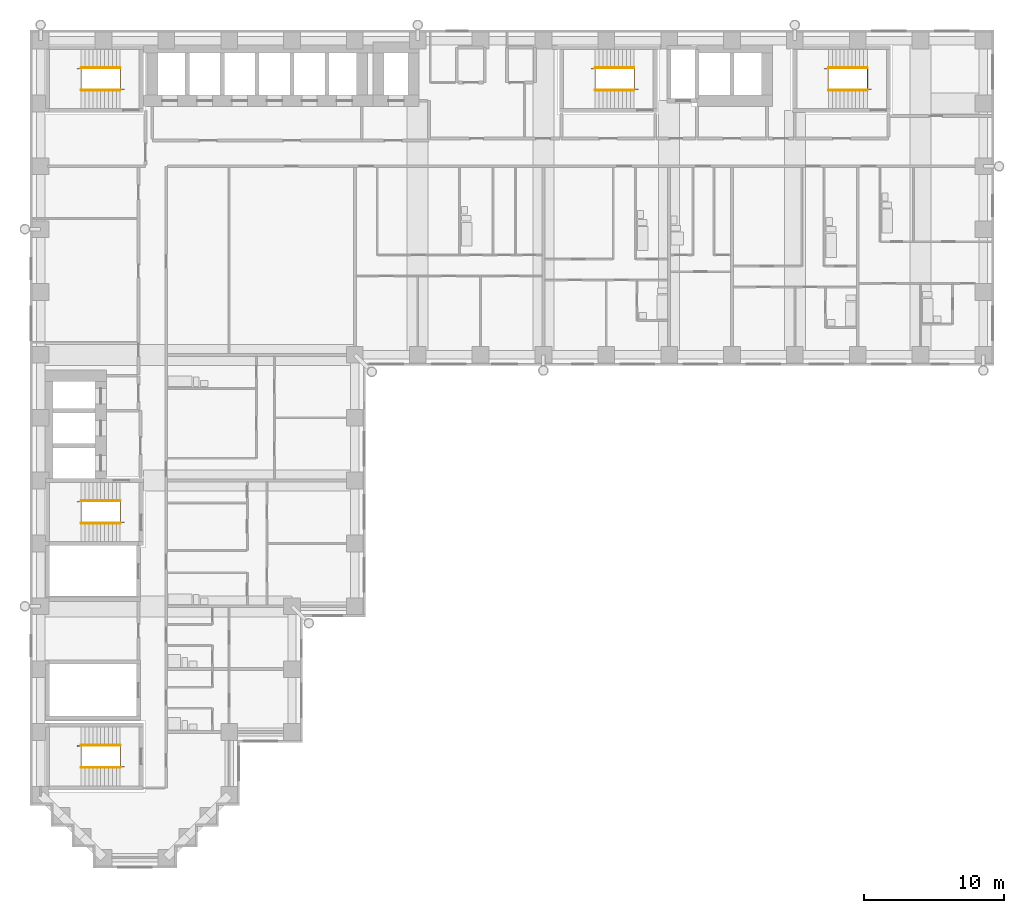
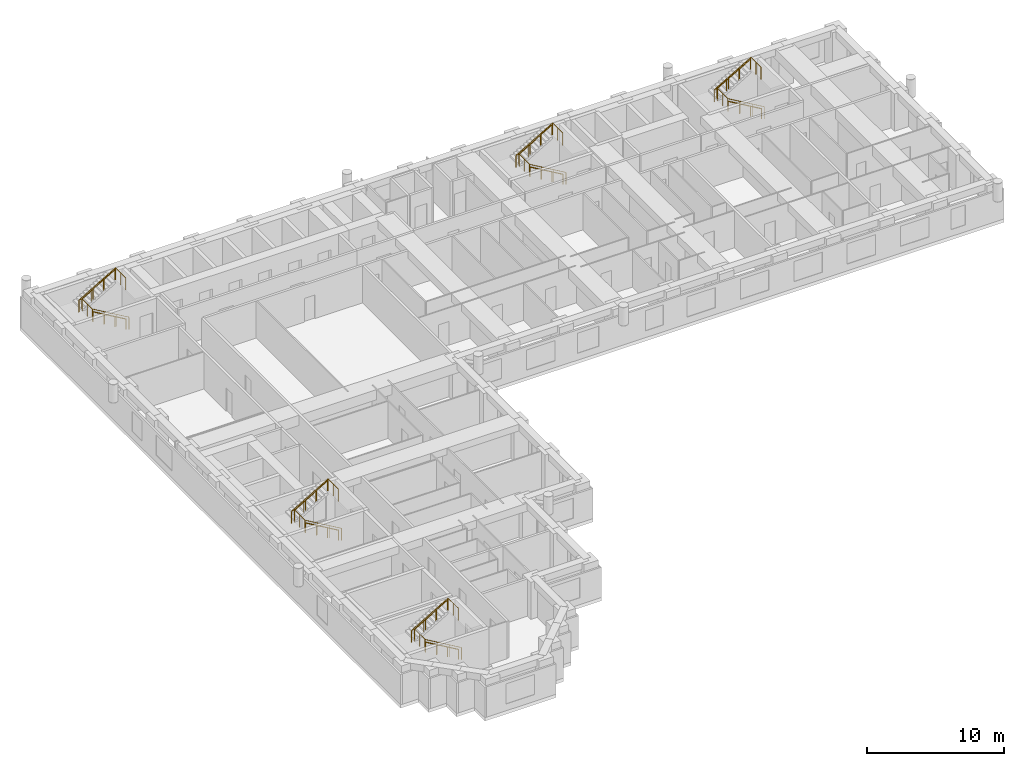
# One storey, part 13 of 14: 15 railings.
"""IFC4 building model written with IfcOpenShell, lengths in metres."""

from ifc_helpers import new_model, si_unit, direction, frame, origin, origin_2d, place, context, subcontext, project, spatial, circle, extrude, material, type_object, element, save


model = new_model("IFC4")

# Units and contexts
model_context = context("Model", 3, precision=1e-05, world=origin(), true_north=direction((0.0, 1.0)))
body_context = subcontext(model_context, "Body", "Model", "MODEL_VIEW")
ifc_project = project(units=[si_unit("LENGTHUNIT", "METRE"), si_unit("AREAUNIT", "SQUARE_METRE"), si_unit("VOLUMEUNIT", "CUBIC_METRE"), si_unit("PLANEANGLEUNIT", "RADIAN"), si_unit("MASSUNIT", "GRAM", prefix="KILO")], contexts=[model_context])

# Site, building, storey
site_placement = place(None, origin())
site = spatial("IfcSite", under=ifc_project, at=site_placement, CompositionType="ELEMENT")
building_placement = place(site_placement, origin())
building = spatial("IfcBuilding", under=site, at=building_placement, Name="Firuza Court", CompositionType="ELEMENT")
storey_placement = place(building_placement, frame((0.0, 0.0, 68.60009765625)))
storey = spatial("IfcBuildingStorey", under=building, at=storey_placement, Name="L16", CompositionType="ELEMENT", Elevation=68.60009765625)

# Railings
ifc_material_1 = material(Name="Steel S355", Category="steel")
railing_type_1 = type_object("IfcRailingType", Name="Handrail 900", PredefinedType="HANDRAIL", material=ifc_material_1)
railing_1_placement = place(storey_placement, frame((42.5, 54.949951171875, 0.16357421875)))
element("IfcRailing", 1, at=railing_1_placement, inside=storey, type_object=railing_type_1, Name="Handrail S1 flight 1", PredefinedType="HANDRAIL", context=body_context, shape_type="SweptSolid", body=[
    extrude(circle(Radius=0.02490234375, at=origin_2d()), frame((0.0, 0.0, 0.875), z_axis=(-0.863393664356, 0.0, 0.504530851732), x_axis=(0.0, -1.0, 0.0)), (0.0, 0.0, 1.0), 3.2431640625),
    extrude(circle(Radius=0.02001953125, at=origin_2d()), origin(), (0.0, 0.0, 1.0), 0.849853515625),
    extrude(circle(Radius=0.02001953125, at=origin_2d()), frame((-0.933349609375, 0.0, 0.54541015625)), (0.0, 0.0, 1.0), 0.849853515625),
    extrude(circle(Radius=0.02001953125, at=origin_2d()), frame((-1.86669921875, 0.0, 1.0908203125)), (0.0, 0.0, 1.0), 0.849853515625),
    extrude(circle(Radius=0.02001953125, at=origin_2d()), frame((-2.800048828125, 0.0, 1.63623046875)), (0.0, 0.0, 1.0), 0.849853515625),
])
railing_2_placement = place(storey_placement, frame((39.699951171875, 56.550048828125, 1.963623046875)))
element("IfcRailing", 2, at=railing_2_placement, inside=storey, type_object=railing_type_1, Name="Handrail S1 flight 2", PredefinedType="HANDRAIL", context=body_context, shape_type="SweptSolid", body=[
    extrude(circle(Radius=0.02490234375, at=origin_2d()), frame((0.0, 0.0, 0.875), z_axis=(0.863393664356, 0.0, 0.504530851732), x_axis=(0.0, 1.0, 0.0)), (0.0, 0.0, 1.0), 3.2431640625),
    extrude(circle(Radius=0.02001953125, at=origin_2d()), origin(), (0.0, 0.0, 1.0), 0.849853515625),
    extrude(circle(Radius=0.02001953125, at=origin_2d()), frame((0.933349609375, 0.0, 0.54541015625)), (0.0, 0.0, 1.0), 0.849853515625),
    extrude(circle(Radius=0.02001953125, at=origin_2d()), frame((1.86669921875, 0.0, 1.0908203125)), (0.0, 0.0, 1.0), 0.849853515625),
    extrude(circle(Radius=0.02001953125, at=origin_2d()), frame((2.800048828125, 0.0, 1.63623046875)), (0.0, 0.0, 1.0), 0.849853515625),
])
railing_3_placement = place(storey_placement, frame((5.699951171875, 23.949951171875, 0.16357421875)))
element("IfcRailing", 3, at=railing_3_placement, inside=storey, type_object=railing_type_1, Name="Handrail S2 flight 1", PredefinedType="HANDRAIL", context=body_context, shape_type="SweptSolid", body=[
    extrude(circle(Radius=0.02490234375, at=origin_2d()), frame((0.0, 0.0, 0.875), z_axis=(-0.863393664356, 0.0, 0.504530851732), x_axis=(0.0, -1.0, 0.0)), (0.0, 0.0, 1.0), 3.2431640625),
    extrude(circle(Radius=0.02001953125, at=origin_2d()), origin(), (0.0, 0.0, 1.0), 0.849853515625),
    extrude(circle(Radius=0.02001953125, at=origin_2d()), frame((-0.933349609375, 0.0, 0.54541015625)), (0.0, 0.0, 1.0), 0.849853515625),
    extrude(circle(Radius=0.02001953125, at=origin_2d()), frame((-1.86669921875, 0.0, 1.0908203125)), (0.0, 0.0, 1.0), 0.849853515625),
    extrude(circle(Radius=0.02001953125, at=origin_2d()), frame((-2.800048828125, 0.0, 1.63623046875)), (0.0, 0.0, 1.0), 0.849853515625),
])
railing_4_placement = place(storey_placement, frame((2.89990234375, 25.550048828125, 1.963623046875)))
element("IfcRailing", 4, at=railing_4_placement, inside=storey, type_object=railing_type_1, Name="Handrail S2 flight 2", PredefinedType="HANDRAIL", context=body_context, shape_type="SweptSolid", body=[
    extrude(circle(Radius=0.02490234375, at=origin_2d()), frame((0.0, 0.0, 0.875), z_axis=(0.863393664356, 0.0, 0.504530851732), x_axis=(0.0, 1.0, 0.0)), (0.0, 0.0, 1.0), 3.2431640625),
    extrude(circle(Radius=0.02001953125, at=origin_2d()), origin(), (0.0, 0.0, 1.0), 0.849853515625),
    extrude(circle(Radius=0.02001953125, at=origin_2d()), frame((0.933349609375, 0.0, 0.54541015625)), (0.0, 0.0, 1.0), 0.849853515625),
    extrude(circle(Radius=0.02001953125, at=origin_2d()), frame((1.86669921875, 0.0, 1.0908203125)), (0.0, 0.0, 1.0), 0.849853515625),
    extrude(circle(Radius=0.02001953125, at=origin_2d()), frame((2.800048828125, 0.0, 1.63623046875)), (0.0, 0.0, 1.0), 0.849853515625),
])
railing_5_placement = place(storey_placement, frame((5.699951171875, 54.949951171875, 0.16357421875)))
element("IfcRailing", 5, at=railing_5_placement, inside=storey, type_object=railing_type_1, Name="Handrail S3 flight 1", PredefinedType="HANDRAIL", context=body_context, shape_type="SweptSolid", body=[
    extrude(circle(Radius=0.02490234375, at=origin_2d()), frame((0.0, 0.0, 0.875), z_axis=(-0.863393664356, 0.0, 0.504530851732), x_axis=(0.0, -1.0, 0.0)), (0.0, 0.0, 1.0), 3.2431640625),
    extrude(circle(Radius=0.02001953125, at=origin_2d()), origin(), (0.0, 0.0, 1.0), 0.849853515625),
    extrude(circle(Radius=0.02001953125, at=origin_2d()), frame((-0.933349609375, 0.0, 0.54541015625)), (0.0, 0.0, 1.0), 0.849853515625),
    extrude(circle(Radius=0.02001953125, at=origin_2d()), frame((-1.86669921875, 0.0, 1.0908203125)), (0.0, 0.0, 1.0), 0.849853515625),
    extrude(circle(Radius=0.02001953125, at=origin_2d()), frame((-2.800048828125, 0.0, 1.63623046875)), (0.0, 0.0, 1.0), 0.849853515625),
])
railing_6_placement = place(storey_placement, frame((2.89990234375, 56.550048828125, 1.963623046875)))
element("IfcRailing", 6, at=railing_6_placement, inside=storey, type_object=railing_type_1, Name="Handrail S3 flight 2", PredefinedType="HANDRAIL", context=body_context, shape_type="SweptSolid", body=[
    extrude(circle(Radius=0.02490234375, at=origin_2d()), frame((0.0, 0.0, 0.875), z_axis=(0.863393664356, 0.0, 0.504530851732), x_axis=(0.0, 1.0, 0.0)), (0.0, 0.0, 1.0), 3.2431640625),
    extrude(circle(Radius=0.02001953125, at=origin_2d()), origin(), (0.0, 0.0, 1.0), 0.849853515625),
    extrude(circle(Radius=0.02001953125, at=origin_2d()), frame((0.933349609375, 0.0, 0.54541015625)), (0.0, 0.0, 1.0), 0.849853515625),
    extrude(circle(Radius=0.02001953125, at=origin_2d()), frame((1.86669921875, 0.0, 1.0908203125)), (0.0, 0.0, 1.0), 0.849853515625),
    extrude(circle(Radius=0.02001953125, at=origin_2d()), frame((2.800048828125, 0.0, 1.63623046875)), (0.0, 0.0, 1.0), 0.849853515625),
])
railing_7_placement = place(storey_placement, frame((59.199951171875, 54.949951171875, 0.16357421875)))
element("IfcRailing", 7, at=railing_7_placement, inside=storey, type_object=railing_type_1, Name="Handrail S4 flight 1", PredefinedType="HANDRAIL", context=body_context, shape_type="SweptSolid", body=[
    extrude(circle(Radius=0.02490234375, at=origin_2d()), frame((0.0, 0.0, 0.875), z_axis=(-0.863393664356, 0.0, 0.504530851732), x_axis=(0.0, -1.0, 0.0)), (0.0, 0.0, 1.0), 3.2431640625),
    extrude(circle(Radius=0.02001953125, at=origin_2d()), origin(), (0.0, 0.0, 1.0), 0.849853515625),
    extrude(circle(Radius=0.02001953125, at=origin_2d()), frame((-0.933349609375, 0.0, 0.54541015625)), (0.0, 0.0, 1.0), 0.849853515625),
    extrude(circle(Radius=0.02001953125, at=origin_2d()), frame((-1.86669921875, 0.0, 1.0908203125)), (0.0, 0.0, 1.0), 0.849853515625),
    extrude(circle(Radius=0.02001953125, at=origin_2d()), frame((-2.800048828125, 0.0, 1.63623046875)), (0.0, 0.0, 1.0), 0.849853515625),
])
railing_8_placement = place(storey_placement, frame((56.39990234375, 56.550048828125, 1.963623046875)))
element("IfcRailing", 8, at=railing_8_placement, inside=storey, type_object=railing_type_1, Name="Handrail S4 flight 2", PredefinedType="HANDRAIL", context=body_context, shape_type="SweptSolid", body=[
    extrude(circle(Radius=0.02490234375, at=origin_2d()), frame((0.0, 0.0, 0.875), z_axis=(0.863393664356, 0.0, 0.504530851732), x_axis=(0.0, 1.0, 0.0)), (0.0, 0.0, 1.0), 3.2431640625),
    extrude(circle(Radius=0.02001953125, at=origin_2d()), origin(), (0.0, 0.0, 1.0), 0.849853515625),
    extrude(circle(Radius=0.02001953125, at=origin_2d()), frame((0.933349609375, 0.0, 0.54541015625)), (0.0, 0.0, 1.0), 0.849853515625),
    extrude(circle(Radius=0.02001953125, at=origin_2d()), frame((1.86669921875, 0.0, 1.0908203125)), (0.0, 0.0, 1.0), 0.849853515625),
    extrude(circle(Radius=0.02001953125, at=origin_2d()), frame((2.800048828125, 0.0, 1.63623046875)), (0.0, 0.0, 1.0), 0.849853515625),
])
railing_9_placement = place(storey_placement, frame((5.699951171875, 6.449951171875, 0.16357421875)))
element("IfcRailing", 9, at=railing_9_placement, inside=storey, type_object=railing_type_1, Name="Handrail S5 flight 1", PredefinedType="HANDRAIL", context=body_context, shape_type="SweptSolid", body=[
    extrude(circle(Radius=0.02490234375, at=origin_2d()), frame((0.0, 0.0, 0.875), z_axis=(-0.863393664356, 0.0, 0.504530851732), x_axis=(0.0, -1.0, 0.0)), (0.0, 0.0, 1.0), 3.2431640625),
    extrude(circle(Radius=0.02001953125, at=origin_2d()), origin(), (0.0, 0.0, 1.0), 0.849853515625),
    extrude(circle(Radius=0.02001953125, at=origin_2d()), frame((-0.933349609375, 0.0, 0.54541015625)), (0.0, 0.0, 1.0), 0.849853515625),
    extrude(circle(Radius=0.02001953125, at=origin_2d()), frame((-1.86669921875, 0.0, 1.0908203125)), (0.0, 0.0, 1.0), 0.849853515625),
    extrude(circle(Radius=0.02001953125, at=origin_2d()), frame((-2.800048828125, 0.0, 1.63623046875)), (0.0, 0.0, 1.0), 0.849853515625),
])
railing_10_placement = place(storey_placement, frame((2.89990234375, 8.050048828125, 1.963623046875)))
element("IfcRailing", 10, at=railing_10_placement, inside=storey, type_object=railing_type_1, Name="Handrail S5 flight 2", PredefinedType="HANDRAIL", context=body_context, shape_type="SweptSolid", body=[
    extrude(circle(Radius=0.02490234375, at=origin_2d()), frame((0.0, 0.0, 0.875), z_axis=(0.863393664356, 0.0, 0.504530851732), x_axis=(0.0, 1.0, 0.0)), (0.0, 0.0, 1.0), 3.2431640625),
    extrude(circle(Radius=0.02001953125, at=origin_2d()), origin(), (0.0, 0.0, 1.0), 0.849853515625),
    extrude(circle(Radius=0.02001953125, at=origin_2d()), frame((0.933349609375, 0.0, 0.54541015625)), (0.0, 0.0, 1.0), 0.849853515625),
    extrude(circle(Radius=0.02001953125, at=origin_2d()), frame((1.86669921875, 0.0, 1.0908203125)), (0.0, 0.0, 1.0), 0.849853515625),
    extrude(circle(Radius=0.02001953125, at=origin_2d()), frame((2.800048828125, 0.0, 1.63623046875)), (0.0, 0.0, 1.0), 0.849853515625),
])
ifc_material_2 = material(Name="Steel S355", Category="steel")
railing_type_2 = type_object("IfcRailingType", Name="Stair guard 1100", PredefinedType="GUARDRAIL", material=ifc_material_2)
railing_11_placement = place(storey_placement, frame((42.780029296875, 55.010009765625, 0.0)))
element("IfcRailing", 11, at=railing_11_placement, inside=storey, type_object=railing_type_2, Name="Stair well guard S1", PredefinedType="GUARDRAIL", context=body_context, shape_type="SweptSolid", body=[
    extrude(circle(Radius=0.02490234375, at=origin_2d()), frame((0.0, 0.0, 1.0751953125), z_axis=(-0.863401368682, 0.0, 0.504517667242), x_axis=(0.0, -1.0, 0.0)), (0.0, 0.0, 1.0), 3.5673828125),
    extrude(circle(Radius=0.02490234375, at=origin_2d()), frame((-3.080078125, 0.0, 2.875), z_axis=(0.0, 1.0, 0.0), x_axis=(-1.0, 0.0, 0.0)), (0.0, 0.0, 1.0), 1.47998046875),
    extrude(circle(Radius=0.02490234375, at=origin_2d()), frame((-3.080078125, 1.47998046875, 2.875), z_axis=(-1.0, 0.0, 0.0), x_axis=(0.0, -1.0, 0.0)), (0.0, 0.0, 1.0), 0.280029296875),
    extrude(circle(Radius=0.02490234375, at=origin_2d()), frame((-3.360107421875, 1.47998046875, 2.875), z_axis=(0.863371556955, 0.0, 0.504568681787), x_axis=(0.0, 1.0, 0.0)), (0.0, 0.0, 1.0), 3.5673828125),
    extrude(circle(Radius=0.02490234375, at=origin_2d()), frame((-0.280029296875, 1.47998046875, 4.6748046875), z_axis=(0.0, -1.0, 0.0), x_axis=(1.0, 0.0, 0.0)), (0.0, 0.0, 1.0), 1.47998046875),
    extrude(circle(Radius=0.02490234375, at=origin_2d()), origin(), (0.0, 0.0, 1.0), 1.050048828125),
    extrude(circle(Radius=0.02490234375, at=origin_2d()), frame((-1.026611328125, 0.0, 0.599853515625)), (0.0, 0.0, 1.0), 1.050048828125),
    extrude(circle(Radius=0.02490234375, at=origin_2d()), frame((-2.053466796875, 0.0, 1.199951171875)), (0.0, 0.0, 1.0), 1.050048828125),
    extrude(circle(Radius=0.02490234375, at=origin_2d()), frame((-3.080078125, 0.0, 1.7998046875)), (0.0, 0.0, 1.0), 1.050048828125),
    extrude(circle(Radius=0.02490234375, at=origin_2d()), frame((-3.080078125, 0.739990234375, 1.7998046875)), (0.0, 0.0, 1.0), 1.050048828125),
    extrude(circle(Radius=0.02490234375, at=origin_2d()), frame((-3.080078125, 1.47998046875, 1.7998046875)), (0.0, 0.0, 1.0), 1.050048828125),
    extrude(circle(Radius=0.02490234375, at=origin_2d()), frame((-3.360107421875, 1.47998046875, 1.7998046875)), (0.0, 0.0, 1.0), 1.050048828125),
    extrude(circle(Radius=0.02490234375, at=origin_2d()), frame((-2.33349609375, 1.47998046875, 2.39990234375)), (0.0, 0.0, 1.0), 1.050048828125),
    extrude(circle(Radius=0.02490234375, at=origin_2d()), frame((-1.306640625, 1.47998046875, 2.999755859375)), (0.0, 0.0, 1.0), 1.050048828125),
    extrude(circle(Radius=0.02490234375, at=origin_2d()), frame((-0.280029296875, 1.47998046875, 3.599853515625)), (0.0, 0.0, 1.0), 1.050048828125),
    extrude(circle(Radius=0.02490234375, at=origin_2d()), frame((-0.280029296875, 0.739990234375, 3.599853515625)), (0.0, 0.0, 1.0), 1.050048828125),
    extrude(circle(Radius=0.02490234375, at=origin_2d()), frame((-0.280029296875, 0.0, 3.599853515625)), (0.0, 0.0, 1.0), 1.050048828125),
])
railing_12_placement = place(storey_placement, frame((5.97998046875, 24.010009765625, 0.0)))
element("IfcRailing", 12, at=railing_12_placement, inside=storey, type_object=railing_type_2, Name="Stair well guard S2", PredefinedType="GUARDRAIL", context=body_context, shape_type="SweptSolid", body=[
    extrude(circle(Radius=0.02490234375, at=origin_2d()), frame((0.0, 0.0, 1.0751953125), z_axis=(-0.863401368682, 0.0, 0.504517667242), x_axis=(0.0, -1.0, 0.0)), (0.0, 0.0, 1.0), 3.5673828125),
    extrude(circle(Radius=0.02490234375, at=origin_2d()), frame((-3.080078125, 0.0, 2.875), z_axis=(0.0, 1.0, 0.0), x_axis=(-1.0, 0.0, 0.0)), (0.0, 0.0, 1.0), 1.47998046875),
    extrude(circle(Radius=0.02490234375, at=origin_2d()), frame((-3.080078125, 1.47998046875, 2.875), z_axis=(-1.0, 0.0, 0.0), x_axis=(0.0, -1.0, 0.0)), (0.0, 0.0, 1.0), 0.27978515625),
    extrude(circle(Radius=0.02490234375, at=origin_2d()), frame((-3.35986328125, 1.47998046875, 2.875), z_axis=(0.863354132664, 0.0, 0.504598495452), x_axis=(0.0, 1.0, 0.0)), (0.0, 0.0, 1.0), 3.5673828125),
    extrude(circle(Radius=0.02490234375, at=origin_2d()), frame((-0.280029296875, 1.47998046875, 4.6748046875), z_axis=(0.0, -1.0, 0.0), x_axis=(1.0, 0.0, 0.0)), (0.0, 0.0, 1.0), 1.47998046875),
    extrude(circle(Radius=0.02490234375, at=origin_2d()), origin(), (0.0, 0.0, 1.0), 1.050048828125),
    extrude(circle(Radius=0.02490234375, at=origin_2d()), frame((-1.026611328125, 0.0, 0.599853515625)), (0.0, 0.0, 1.0), 1.050048828125),
    extrude(circle(Radius=0.02490234375, at=origin_2d()), frame((-2.053466796875, 0.0, 1.199951171875)), (0.0, 0.0, 1.0), 1.050048828125),
    extrude(circle(Radius=0.02490234375, at=origin_2d()), frame((-3.080078125, 0.0, 1.7998046875)), (0.0, 0.0, 1.0), 1.050048828125),
    extrude(circle(Radius=0.02490234375, at=origin_2d()), frame((-3.080078125, 0.739990234375, 1.7998046875)), (0.0, 0.0, 1.0), 1.050048828125),
    extrude(circle(Radius=0.02490234375, at=origin_2d()), frame((-3.080078125, 1.47998046875, 1.7998046875)), (0.0, 0.0, 1.0), 1.050048828125),
    extrude(circle(Radius=0.02490234375, at=origin_2d()), frame((-3.35986328125, 1.47998046875, 1.7998046875)), (0.0, 0.0, 1.0), 1.050048828125),
    extrude(circle(Radius=0.02490234375, at=origin_2d()), frame((-2.333251953125, 1.47998046875, 2.39990234375)), (0.0, 0.0, 1.0), 1.050048828125),
    extrude(circle(Radius=0.02490234375, at=origin_2d()), frame((-1.306640625, 1.47998046875, 2.999755859375)), (0.0, 0.0, 1.0), 1.050048828125),
    extrude(circle(Radius=0.02490234375, at=origin_2d()), frame((-0.280029296875, 1.47998046875, 3.599853515625)), (0.0, 0.0, 1.0), 1.050048828125),
    extrude(circle(Radius=0.02490234375, at=origin_2d()), frame((-0.280029296875, 0.739990234375, 3.599853515625)), (0.0, 0.0, 1.0), 1.050048828125),
    extrude(circle(Radius=0.02490234375, at=origin_2d()), frame((-0.280029296875, 0.0, 3.599853515625)), (0.0, 0.0, 1.0), 1.050048828125),
])
railing_13_placement = place(storey_placement, frame((5.97998046875, 55.010009765625, 0.0)))
element("IfcRailing", 13, at=railing_13_placement, inside=storey, type_object=railing_type_2, Name="Stair well guard S3", PredefinedType="GUARDRAIL", context=body_context, shape_type="SweptSolid", body=[
    extrude(circle(Radius=0.02490234375, at=origin_2d()), frame((0.0, 0.0, 1.0751953125), z_axis=(-0.863401368682, 0.0, 0.504517667242), x_axis=(0.0, -1.0, 0.0)), (0.0, 0.0, 1.0), 3.5673828125),
    extrude(circle(Radius=0.02490234375, at=origin_2d()), frame((-3.080078125, 0.0, 2.875), z_axis=(0.0, 1.0, 0.0), x_axis=(-1.0, 0.0, 0.0)), (0.0, 0.0, 1.0), 1.47998046875),
    extrude(circle(Radius=0.02490234375, at=origin_2d()), frame((-3.080078125, 1.47998046875, 2.875), z_axis=(-1.0, 0.0, 0.0), x_axis=(0.0, -1.0, 0.0)), (0.0, 0.0, 1.0), 0.27978515625),
    extrude(circle(Radius=0.02490234375, at=origin_2d()), frame((-3.35986328125, 1.47998046875, 2.875), z_axis=(0.863354132664, 0.0, 0.504598495452), x_axis=(0.0, 1.0, 0.0)), (0.0, 0.0, 1.0), 3.5673828125),
    extrude(circle(Radius=0.02490234375, at=origin_2d()), frame((-0.280029296875, 1.47998046875, 4.6748046875), z_axis=(0.0, -1.0, 0.0), x_axis=(1.0, 0.0, 0.0)), (0.0, 0.0, 1.0), 1.47998046875),
    extrude(circle(Radius=0.02490234375, at=origin_2d()), origin(), (0.0, 0.0, 1.0), 1.050048828125),
    extrude(circle(Radius=0.02490234375, at=origin_2d()), frame((-1.026611328125, 0.0, 0.599853515625)), (0.0, 0.0, 1.0), 1.050048828125),
    extrude(circle(Radius=0.02490234375, at=origin_2d()), frame((-2.053466796875, 0.0, 1.199951171875)), (0.0, 0.0, 1.0), 1.050048828125),
    extrude(circle(Radius=0.02490234375, at=origin_2d()), frame((-3.080078125, 0.0, 1.7998046875)), (0.0, 0.0, 1.0), 1.050048828125),
    extrude(circle(Radius=0.02490234375, at=origin_2d()), frame((-3.080078125, 0.739990234375, 1.7998046875)), (0.0, 0.0, 1.0), 1.050048828125),
    extrude(circle(Radius=0.02490234375, at=origin_2d()), frame((-3.080078125, 1.47998046875, 1.7998046875)), (0.0, 0.0, 1.0), 1.050048828125),
    extrude(circle(Radius=0.02490234375, at=origin_2d()), frame((-3.35986328125, 1.47998046875, 1.7998046875)), (0.0, 0.0, 1.0), 1.050048828125),
    extrude(circle(Radius=0.02490234375, at=origin_2d()), frame((-2.333251953125, 1.47998046875, 2.39990234375)), (0.0, 0.0, 1.0), 1.050048828125),
    extrude(circle(Radius=0.02490234375, at=origin_2d()), frame((-1.306640625, 1.47998046875, 2.999755859375)), (0.0, 0.0, 1.0), 1.050048828125),
    extrude(circle(Radius=0.02490234375, at=origin_2d()), frame((-0.280029296875, 1.47998046875, 3.599853515625)), (0.0, 0.0, 1.0), 1.050048828125),
    extrude(circle(Radius=0.02490234375, at=origin_2d()), frame((-0.280029296875, 0.739990234375, 3.599853515625)), (0.0, 0.0, 1.0), 1.050048828125),
    extrude(circle(Radius=0.02490234375, at=origin_2d()), frame((-0.280029296875, 0.0, 3.599853515625)), (0.0, 0.0, 1.0), 1.050048828125),
])
railing_14_placement = place(storey_placement, frame((59.47998046875, 55.010009765625, 0.0)))
element("IfcRailing", 14, at=railing_14_placement, inside=storey, type_object=railing_type_2, Name="Stair well guard S4", PredefinedType="GUARDRAIL", context=body_context, shape_type="SweptSolid", body=[
    extrude(circle(Radius=0.02490234375, at=origin_2d()), frame((0.0, 0.0, 1.0751953125), z_axis=(-0.863401368682, 0.0, 0.504517667242), x_axis=(0.0, -1.0, 0.0)), (0.0, 0.0, 1.0), 3.5673828125),
    extrude(circle(Radius=0.02490234375, at=origin_2d()), frame((-3.080078125, 0.0, 2.875), z_axis=(0.0, 1.0, 0.0), x_axis=(-1.0, 0.0, 0.0)), (0.0, 0.0, 1.0), 1.47998046875),
    extrude(circle(Radius=0.02490234375, at=origin_2d()), frame((-3.080078125, 1.47998046875, 2.875), z_axis=(-1.0, 0.0, 0.0), x_axis=(0.0, -1.0, 0.0)), (0.0, 0.0, 1.0), 0.27978515625),
    extrude(circle(Radius=0.02490234375, at=origin_2d()), frame((-3.35986328125, 1.47998046875, 2.875), z_axis=(0.863354132664, 0.0, 0.504598495452), x_axis=(0.0, 1.0, 0.0)), (0.0, 0.0, 1.0), 3.5673828125),
    extrude(circle(Radius=0.02490234375, at=origin_2d()), frame((-0.280029296875, 1.47998046875, 4.6748046875), z_axis=(0.0, -1.0, 0.0), x_axis=(1.0, 0.0, 0.0)), (0.0, 0.0, 1.0), 1.47998046875),
    extrude(circle(Radius=0.02490234375, at=origin_2d()), origin(), (0.0, 0.0, 1.0), 1.050048828125),
    extrude(circle(Radius=0.02490234375, at=origin_2d()), frame((-1.026611328125, 0.0, 0.599853515625)), (0.0, 0.0, 1.0), 1.050048828125),
    extrude(circle(Radius=0.02490234375, at=origin_2d()), frame((-2.053466796875, 0.0, 1.199951171875)), (0.0, 0.0, 1.0), 1.050048828125),
    extrude(circle(Radius=0.02490234375, at=origin_2d()), frame((-3.080078125, 0.0, 1.7998046875)), (0.0, 0.0, 1.0), 1.050048828125),
    extrude(circle(Radius=0.02490234375, at=origin_2d()), frame((-3.080078125, 0.739990234375, 1.7998046875)), (0.0, 0.0, 1.0), 1.050048828125),
    extrude(circle(Radius=0.02490234375, at=origin_2d()), frame((-3.080078125, 1.47998046875, 1.7998046875)), (0.0, 0.0, 1.0), 1.050048828125),
    extrude(circle(Radius=0.02490234375, at=origin_2d()), frame((-3.35986328125, 1.47998046875, 1.7998046875)), (0.0, 0.0, 1.0), 1.050048828125),
    extrude(circle(Radius=0.02490234375, at=origin_2d()), frame((-2.333251953125, 1.47998046875, 2.39990234375)), (0.0, 0.0, 1.0), 1.050048828125),
    extrude(circle(Radius=0.02490234375, at=origin_2d()), frame((-1.306640625, 1.47998046875, 2.999755859375)), (0.0, 0.0, 1.0), 1.050048828125),
    extrude(circle(Radius=0.02490234375, at=origin_2d()), frame((-0.280029296875, 1.47998046875, 3.599853515625)), (0.0, 0.0, 1.0), 1.050048828125),
    extrude(circle(Radius=0.02490234375, at=origin_2d()), frame((-0.280029296875, 0.739990234375, 3.599853515625)), (0.0, 0.0, 1.0), 1.050048828125),
    extrude(circle(Radius=0.02490234375, at=origin_2d()), frame((-0.280029296875, 0.0, 3.599853515625)), (0.0, 0.0, 1.0), 1.050048828125),
])
railing_15_placement = place(storey_placement, frame((5.97998046875, 6.510009765625, 0.0)))
element("IfcRailing", 15, at=railing_15_placement, inside=storey, type_object=railing_type_2, Name="Stair well guard S5", PredefinedType="GUARDRAIL", context=body_context, shape_type="SweptSolid", body=[
    extrude(circle(Radius=0.02490234375, at=origin_2d()), frame((0.0, 0.0, 1.0751953125), z_axis=(-0.863401368682, 0.0, 0.504517667242), x_axis=(0.0, -1.0, 0.0)), (0.0, 0.0, 1.0), 3.5673828125),
    extrude(circle(Radius=0.02490234375, at=origin_2d()), frame((-3.080078125, 0.0, 2.875), z_axis=(0.0, 1.0, 0.0), x_axis=(-1.0, 0.0, 0.0)), (0.0, 0.0, 1.0), 1.47998046875),
    extrude(circle(Radius=0.02490234375, at=origin_2d()), frame((-3.080078125, 1.47998046875, 2.875), z_axis=(-1.0, 0.0, 0.0), x_axis=(0.0, -1.0, 0.0)), (0.0, 0.0, 1.0), 0.27978515625),
    extrude(circle(Radius=0.02490234375, at=origin_2d()), frame((-3.35986328125, 1.47998046875, 2.875), z_axis=(0.863354132664, 0.0, 0.504598495452), x_axis=(0.0, 1.0, 0.0)), (0.0, 0.0, 1.0), 3.5673828125),
    extrude(circle(Radius=0.02490234375, at=origin_2d()), frame((-0.280029296875, 1.47998046875, 4.6748046875), z_axis=(0.0, -1.0, 0.0), x_axis=(1.0, 0.0, 0.0)), (0.0, 0.0, 1.0), 1.47998046875),
    extrude(circle(Radius=0.02490234375, at=origin_2d()), origin(), (0.0, 0.0, 1.0), 1.050048828125),
    extrude(circle(Radius=0.02490234375, at=origin_2d()), frame((-1.026611328125, 0.0, 0.599853515625)), (0.0, 0.0, 1.0), 1.050048828125),
    extrude(circle(Radius=0.02490234375, at=origin_2d()), frame((-2.053466796875, 0.0, 1.199951171875)), (0.0, 0.0, 1.0), 1.050048828125),
    extrude(circle(Radius=0.02490234375, at=origin_2d()), frame((-3.080078125, 0.0, 1.7998046875)), (0.0, 0.0, 1.0), 1.050048828125),
    extrude(circle(Radius=0.02490234375, at=origin_2d()), frame((-3.080078125, 0.739990234375, 1.7998046875)), (0.0, 0.0, 1.0), 1.050048828125),
    extrude(circle(Radius=0.02490234375, at=origin_2d()), frame((-3.080078125, 1.47998046875, 1.7998046875)), (0.0, 0.0, 1.0), 1.050048828125),
    extrude(circle(Radius=0.02490234375, at=origin_2d()), frame((-3.35986328125, 1.47998046875, 1.7998046875)), (0.0, 0.0, 1.0), 1.050048828125),
    extrude(circle(Radius=0.02490234375, at=origin_2d()), frame((-2.333251953125, 1.47998046875, 2.39990234375)), (0.0, 0.0, 1.0), 1.050048828125),
    extrude(circle(Radius=0.02490234375, at=origin_2d()), frame((-1.306640625, 1.47998046875, 2.999755859375)), (0.0, 0.0, 1.0), 1.050048828125),
    extrude(circle(Radius=0.02490234375, at=origin_2d()), frame((-0.280029296875, 1.47998046875, 3.599853515625)), (0.0, 0.0, 1.0), 1.050048828125),
    extrude(circle(Radius=0.02490234375, at=origin_2d()), frame((-0.280029296875, 0.739990234375, 3.599853515625)), (0.0, 0.0, 1.0), 1.050048828125),
    extrude(circle(Radius=0.02490234375, at=origin_2d()), frame((-0.280029296875, 0.0, 3.599853515625)), (0.0, 0.0, 1.0), 1.050048828125),
])

save(model, "model.ifc")
